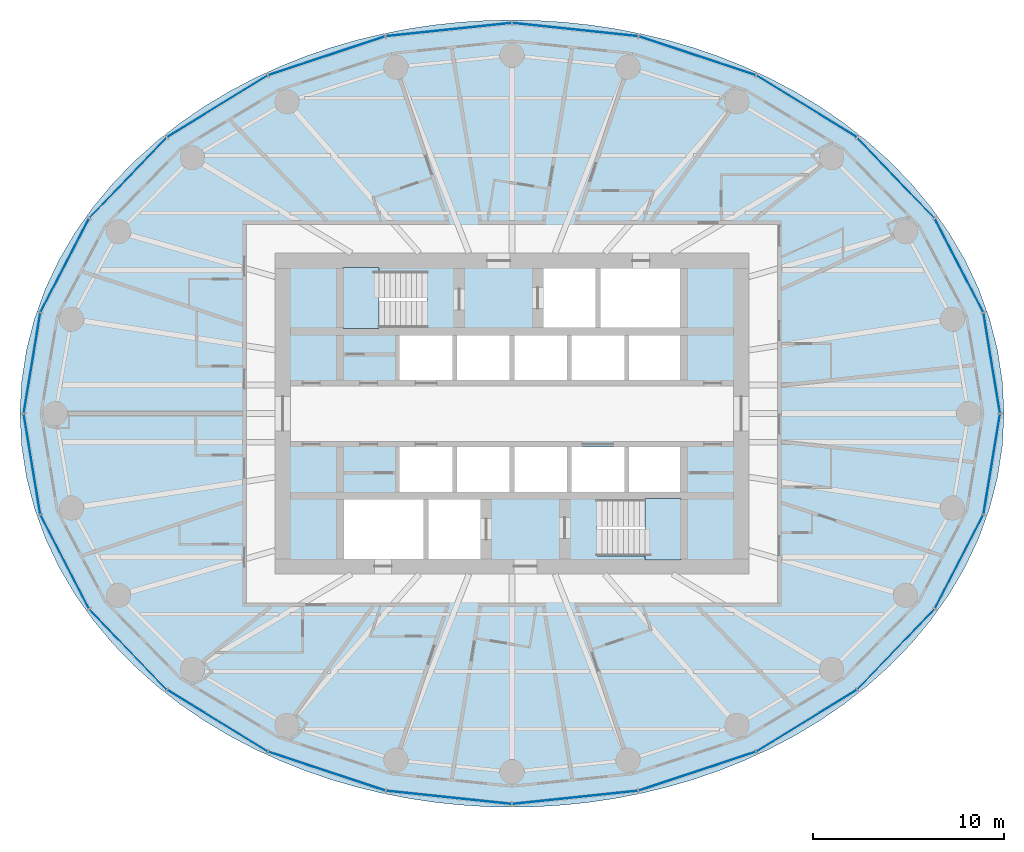
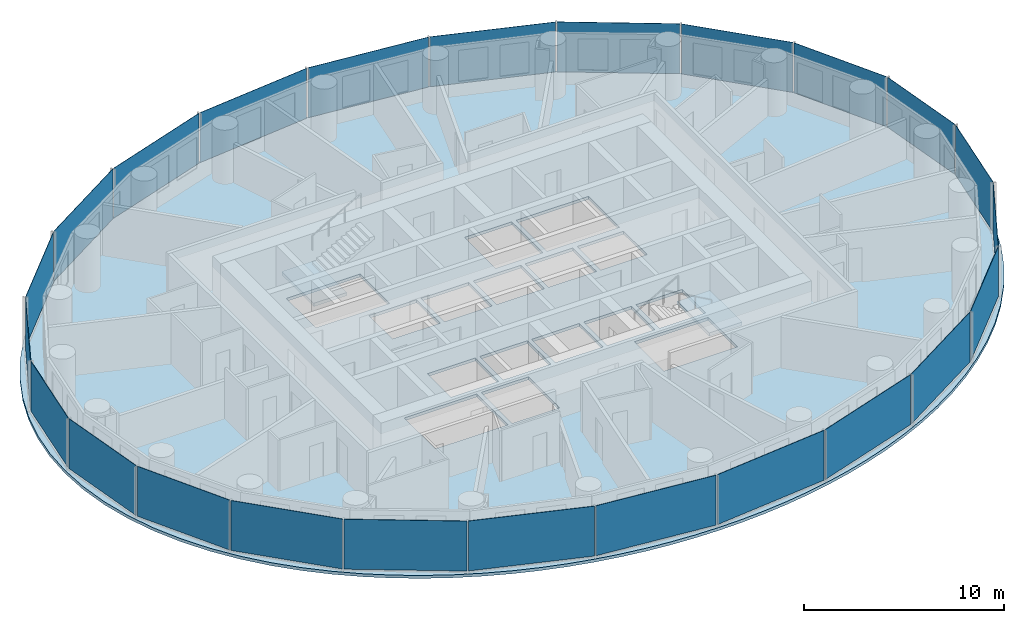
# One storey, part 5 of 13: 24 plates, 3 slabs, 6 elements without a shape of their own.
"""IFC4 building model written with IfcOpenShell, lengths in metres."""

from ifc_helpers import new_model, si_unit, direction, frame, origin, origin_2d, place, context, subcontext, project, spatial, polyline, rectangle, outline, extrude, material, layer, layer_set, type_object, element, aggregate, save


model = new_model("IFC4")

# Units and contexts
model_context = context("Model", 3, precision=1e-05, world=origin(), true_north=direction((0.0, 1.0)))
body_context = subcontext(model_context, "Body", "Model", "MODEL_VIEW")
ifc_project = project(units=[si_unit("LENGTHUNIT", "METRE"), si_unit("AREAUNIT", "SQUARE_METRE"), si_unit("VOLUMEUNIT", "CUBIC_METRE"), si_unit("PLANEANGLEUNIT", "RADIAN"), si_unit("MASSUNIT", "GRAM", prefix="KILO")], contexts=[model_context])

# Site, building, storey
site_placement = place(None, origin())
site = spatial("IfcSite", under=ifc_project, at=site_placement, CompositionType="ELEMENT")
building_placement = place(site_placement, origin())
building = spatial("IfcBuilding", under=site, at=building_placement, Name="Hankou Lantern Tower", CompositionType="ELEMENT")
storey_placement = place(building_placement, frame((0.0, 0.0, 118.800048828125)))
storey = spatial("IfcBuildingStorey", under=building, at=storey_placement, Name="L30", CompositionType="ELEMENT", Elevation=118.800048828125)

# Curtain wall, plates
ifc_material_1 = material(Name="Glass, dark grey tinted laminated", Category="glass")
curtain_wall_type = type_object("IfcCurtainWallType", Name="CWB OUTER SKIN MID-RISE", PredefinedType="USERDEFINED", material=ifc_material_1)
curtain_wall_1_placement = place(storey_placement, origin())
curtain_wall_1 = element("IfcCurtainWall", 1, at=curtain_wall_1_placement, inside=storey, type_object=curtain_wall_type, Name="CWB L30 OS1", ObjectType="OUTER SKIN MID-RISE", PredefinedType="USERDEFINED")
ifc_material_2 = material(Name="Glass, dark grey tinted laminated", Category="glass")
ifc_layer_1 = layer(ifc_material_2, 0.02392578125)
ifc_layer_set_1 = layer_set([ifc_layer_1], Name="Glass, dark grey tinted laminated")
plate_type = type_object("IfcPlateType", Name="PN1 OUTER SKIN GLASS PANEL", PredefinedType="CURTAIN_PANEL", material=ifc_layer_set_1)
plate_1_placement = place(storey_placement, frame((25.11474609375, 2.64501953125, 0.079833984375), z_axis=(0.0, 0.0, 1.0), x_axis=(-0.162381515188, 0.986728049427, 0.0)))
plate_1 = element("IfcPlate", 2, at=plate_1_placement, type_object=plate_type, Name="CWB glass panel 1", PredefinedType="CURTAIN_PANEL", context=body_context, shape_type="SweptSolid", body=[
    extrude(rectangle(XDim=5.281494140625, YDim=0.02392578125, at=origin_2d()), origin(), (0.0, 0.0, 1.0), 3.0400390625),
])
plate_2_placement = place(storey_placement, frame((23.403076171875, 7.755126953125, 0.079833984375), z_axis=(0.0, 0.0, 1.0), x_axis=(-0.459791091957, 0.888027112062, 0.0)))
plate_2 = element("IfcPlate", 3, at=plate_2_placement, type_object=plate_type, Name="CWB glass panel 2", PredefinedType="CURTAIN_PANEL", context=body_context, shape_type="SweptSolid", body=[
    extrude(rectangle(XDim=5.471435546875, YDim=0.02392578125, at=origin_2d()), origin(), (0.0, 0.0, 1.0), 3.0400390625),
])
plate_3_placement = place(storey_placement, frame((20.0966796875, 12.336669921875, 0.079833984375), z_axis=(0.0, 0.0, 1.0), x_axis=(-0.692215809936, 0.721690565599, 0.0)))
plate_3 = element("IfcPlate", 4, at=plate_3_placement, type_object=plate_type, Name="CWB glass panel 3", PredefinedType="CURTAIN_PANEL", context=body_context, shape_type="SweptSolid", body=[
    extrude(rectangle(XDim=5.78564453125, YDim=0.02392578125, at=origin_2d()), origin(), (0.0, 0.0, 1.0), 3.0400390625),
])
plate_4_placement = place(storey_placement, frame((15.4208984375, 16.077392578125, 0.079833984375), z_axis=(0.0, 0.0, 1.0), x_axis=(-0.852237151549, 0.523155653242, 0.0)))
plate_4 = element("IfcPlate", 5, at=plate_4_placement, type_object=plate_type, Name="CWB glass panel 4", PredefinedType="CURTAIN_PANEL", context=body_context, shape_type="SweptSolid", body=[
    extrude(rectangle(XDim=6.129150390625, YDim=0.02392578125, at=origin_2d()), origin(), (0.0, 0.0, 1.0), 3.0400390625),
])
plate_5_placement = place(storey_placement, frame((9.69384765625, 18.72265625, 0.079833984375), z_axis=(0.0, 0.0, 1.0), x_axis=(-0.949240677293, 0.31455068999, 0.0)))
plate_5 = element("IfcPlate", 6, at=plate_5_placement, type_object=plate_type, Name="CWB glass panel 5", PredefinedType="CURTAIN_PANEL", context=body_context, shape_type="SweptSolid", body=[
    extrude(rectangle(XDim=6.41162109375, YDim=0.02392578125, at=origin_2d()), origin(), (0.0, 0.0, 1.0), 3.0400390625),
])
plate_6_placement = place(storey_placement, frame((3.306396484375, 20.091796875, 0.079833984375), z_axis=(0.0, 0.0, 1.0), x_axis=(-0.994499359107, 0.104742659579, 0.0)))
plate_6 = element("IfcPlate", 7, at=plate_6_placement, type_object=plate_type, Name="CWB glass panel 6", PredefinedType="CURTAIN_PANEL", context=body_context, shape_type="SweptSolid", body=[
    extrude(rectangle(XDim=6.5693359375, YDim=0.02392578125, at=origin_2d()), origin(), (0.0, 0.0, 1.0), 3.0400390625),
])
aggregate(curtain_wall_1, [plate_1, plate_2, plate_3, plate_4, plate_5, plate_6])

curtain_wall_2_placement = place(storey_placement, origin())
curtain_wall_2 = element("IfcCurtainWall", 8, at=curtain_wall_2_placement, inside=storey, type_object=curtain_wall_type, Name="CWB L30 OS2", ObjectType="OUTER SKIN MID-RISE", PredefinedType="USERDEFINED")
plate_7_placement = place(storey_placement, frame((-3.306396484375, 20.091796875, 0.079833984375), z_axis=(0.0, 0.0, 1.0), x_axis=(-0.994499359107, -0.104742659579, 0.0)))
plate_7 = element("IfcPlate", 9, at=plate_7_placement, type_object=plate_type, Name="CWB glass panel 1", PredefinedType="CURTAIN_PANEL", context=body_context, shape_type="SweptSolid", body=[
    extrude(rectangle(XDim=6.5693359375, YDim=0.02392578125, at=origin_2d()), origin(), (0.0, 0.0, 1.0), 3.0400390625),
])
plate_8_placement = place(storey_placement, frame((-9.69384765625, 18.72265625, 0.079833984375), z_axis=(0.0, 0.0, 1.0), x_axis=(-0.949240677293, -0.31455068999, 0.0)))
plate_8 = element("IfcPlate", 10, at=plate_8_placement, type_object=plate_type, Name="CWB glass panel 2", PredefinedType="CURTAIN_PANEL", context=body_context, shape_type="SweptSolid", body=[
    extrude(rectangle(XDim=6.41162109375, YDim=0.02392578125, at=origin_2d()), origin(), (0.0, 0.0, 1.0), 3.0400390625),
])
plate_9_placement = place(storey_placement, frame((-15.4208984375, 16.077392578125, 0.079833984375), z_axis=(0.0, 0.0, 1.0), x_axis=(-0.852237151549, -0.523155653242, 0.0)))
plate_9 = element("IfcPlate", 11, at=plate_9_placement, type_object=plate_type, Name="CWB glass panel 3", PredefinedType="CURTAIN_PANEL", context=body_context, shape_type="SweptSolid", body=[
    extrude(rectangle(XDim=6.129150390625, YDim=0.02392578125, at=origin_2d()), origin(), (0.0, 0.0, 1.0), 3.0400390625),
])
plate_10_placement = place(storey_placement, frame((-20.0966796875, 12.336669921875, 0.079833984375), z_axis=(0.0, 0.0, 1.0), x_axis=(-0.692215809936, -0.721690565599, 0.0)))
plate_10 = element("IfcPlate", 12, at=plate_10_placement, type_object=plate_type, Name="CWB glass panel 4", PredefinedType="CURTAIN_PANEL", context=body_context, shape_type="SweptSolid", body=[
    extrude(rectangle(XDim=5.78564453125, YDim=0.02392578125, at=origin_2d()), origin(), (0.0, 0.0, 1.0), 3.0400390625),
])
plate_11_placement = place(storey_placement, frame((-23.403076171875, 7.755126953125, 0.079833984375), z_axis=(0.0, 0.0, 1.0), x_axis=(-0.459791091957, -0.888027112062, 0.0)))
plate_11 = element("IfcPlate", 13, at=plate_11_placement, type_object=plate_type, Name="CWB glass panel 5", PredefinedType="CURTAIN_PANEL", context=body_context, shape_type="SweptSolid", body=[
    extrude(rectangle(XDim=5.471435546875, YDim=0.02392578125, at=origin_2d()), origin(), (0.0, 0.0, 1.0), 3.0400390625),
])
plate_12_placement = place(storey_placement, frame((-25.11474609375, 2.64501953125, 0.079833984375), z_axis=(0.0, 0.0, 1.0), x_axis=(-0.162381515188, -0.986728049427, 0.0)))
plate_12 = element("IfcPlate", 14, at=plate_12_placement, type_object=plate_type, Name="CWB glass panel 6", PredefinedType="CURTAIN_PANEL", context=body_context, shape_type="SweptSolid", body=[
    extrude(rectangle(XDim=5.281494140625, YDim=0.02392578125, at=origin_2d()), origin(), (0.0, 0.0, 1.0), 3.0400390625),
])
aggregate(curtain_wall_2, [plate_7, plate_8, plate_9, plate_10, plate_11, plate_12])

curtain_wall_3_placement = place(storey_placement, origin())
curtain_wall_3 = element("IfcCurtainWall", 15, at=curtain_wall_3_placement, inside=storey, type_object=curtain_wall_type, Name="CWB L30 OS3", ObjectType="OUTER SKIN MID-RISE", PredefinedType="USERDEFINED")
plate_13_placement = place(storey_placement, frame((-25.11474609375, -2.64501953125, 0.079833984375), z_axis=(0.0, 0.0, 1.0), x_axis=(0.162381515188, -0.986728049427, 0.0)))
plate_13 = element("IfcPlate", 16, at=plate_13_placement, type_object=plate_type, Name="CWB glass panel 1", PredefinedType="CURTAIN_PANEL", context=body_context, shape_type="SweptSolid", body=[
    extrude(rectangle(XDim=5.281494140625, YDim=0.02392578125, at=origin_2d()), origin(), (0.0, 0.0, 1.0), 3.0400390625),
])
plate_14_placement = place(storey_placement, frame((-23.403076171875, -7.755126953125, 0.079833984375), z_axis=(0.0, 0.0, 1.0), x_axis=(0.459791091957, -0.888027112062, 0.0)))
plate_14 = element("IfcPlate", 17, at=plate_14_placement, type_object=plate_type, Name="CWB glass panel 2", PredefinedType="CURTAIN_PANEL", context=body_context, shape_type="SweptSolid", body=[
    extrude(rectangle(XDim=5.471435546875, YDim=0.02392578125, at=origin_2d()), origin(), (0.0, 0.0, 1.0), 3.0400390625),
])
plate_15_placement = place(storey_placement, frame((-20.0966796875, -12.336669921875, 0.079833984375), z_axis=(0.0, 0.0, 1.0), x_axis=(0.692215809936, -0.721690565599, 0.0)))
plate_15 = element("IfcPlate", 18, at=plate_15_placement, type_object=plate_type, Name="CWB glass panel 3", PredefinedType="CURTAIN_PANEL", context=body_context, shape_type="SweptSolid", body=[
    extrude(rectangle(XDim=5.78564453125, YDim=0.02392578125, at=origin_2d()), origin(), (0.0, 0.0, 1.0), 3.0400390625),
])
plate_16_placement = place(storey_placement, frame((-15.4208984375, -16.077392578125, 0.079833984375), z_axis=(0.0, 0.0, 1.0), x_axis=(0.852237151549, -0.523155653242, 0.0)))
plate_16 = element("IfcPlate", 19, at=plate_16_placement, type_object=plate_type, Name="CWB glass panel 4", PredefinedType="CURTAIN_PANEL", context=body_context, shape_type="SweptSolid", body=[
    extrude(rectangle(XDim=6.129150390625, YDim=0.02392578125, at=origin_2d()), origin(), (0.0, 0.0, 1.0), 3.0400390625),
])
plate_17_placement = place(storey_placement, frame((-9.69384765625, -18.72265625, 0.079833984375), z_axis=(0.0, 0.0, 1.0), x_axis=(0.949240677293, -0.31455068999, 0.0)))
plate_17 = element("IfcPlate", 20, at=plate_17_placement, type_object=plate_type, Name="CWB glass panel 5", PredefinedType="CURTAIN_PANEL", context=body_context, shape_type="SweptSolid", body=[
    extrude(rectangle(XDim=6.41162109375, YDim=0.02392578125, at=origin_2d()), origin(), (0.0, 0.0, 1.0), 3.0400390625),
])
plate_18_placement = place(storey_placement, frame((-3.306396484375, -20.091796875, 0.079833984375), z_axis=(0.0, 0.0, 1.0), x_axis=(0.994499359107, -0.104742659579, 0.0)))
plate_18 = element("IfcPlate", 21, at=plate_18_placement, type_object=plate_type, Name="CWB glass panel 6", PredefinedType="CURTAIN_PANEL", context=body_context, shape_type="SweptSolid", body=[
    extrude(rectangle(XDim=6.5693359375, YDim=0.02392578125, at=origin_2d()), origin(), (0.0, 0.0, 1.0), 3.0400390625),
])
aggregate(curtain_wall_3, [plate_13, plate_14, plate_15, plate_16, plate_17, plate_18])

curtain_wall_4_placement = place(storey_placement, origin())
curtain_wall_4 = element("IfcCurtainWall", 22, at=curtain_wall_4_placement, inside=storey, type_object=curtain_wall_type, Name="CWB L30 OS4", ObjectType="OUTER SKIN MID-RISE", PredefinedType="USERDEFINED")
plate_19_placement = place(storey_placement, frame((3.306396484375, -20.091796875, 0.079833984375), z_axis=(0.0, 0.0, 1.0), x_axis=(0.994499359107, 0.104742659579, 0.0)))
plate_19 = element("IfcPlate", 23, at=plate_19_placement, type_object=plate_type, Name="CWB glass panel 1", PredefinedType="CURTAIN_PANEL", context=body_context, shape_type="SweptSolid", body=[
    extrude(rectangle(XDim=6.5693359375, YDim=0.02392578125, at=origin_2d()), origin(), (0.0, 0.0, 1.0), 3.0400390625),
])
plate_20_placement = place(storey_placement, frame((9.69384765625, -18.72265625, 0.079833984375), z_axis=(0.0, 0.0, 1.0), x_axis=(0.949240677293, 0.31455068999, 0.0)))
plate_20 = element("IfcPlate", 24, at=plate_20_placement, type_object=plate_type, Name="CWB glass panel 2", PredefinedType="CURTAIN_PANEL", context=body_context, shape_type="SweptSolid", body=[
    extrude(rectangle(XDim=6.41162109375, YDim=0.02392578125, at=origin_2d()), origin(), (0.0, 0.0, 1.0), 3.0400390625),
])
plate_21_placement = place(storey_placement, frame((15.4208984375, -16.077392578125, 0.079833984375), z_axis=(0.0, 0.0, 1.0), x_axis=(0.852237151549, 0.523155653242, 0.0)))
plate_21 = element("IfcPlate", 25, at=plate_21_placement, type_object=plate_type, Name="CWB glass panel 3", PredefinedType="CURTAIN_PANEL", context=body_context, shape_type="SweptSolid", body=[
    extrude(rectangle(XDim=6.129150390625, YDim=0.02392578125, at=origin_2d()), origin(), (0.0, 0.0, 1.0), 3.0400390625),
])
plate_22_placement = place(storey_placement, frame((20.0966796875, -12.336669921875, 0.079833984375), z_axis=(0.0, 0.0, 1.0), x_axis=(0.692215809936, 0.721690565599, 0.0)))
plate_22 = element("IfcPlate", 26, at=plate_22_placement, type_object=plate_type, Name="CWB glass panel 4", PredefinedType="CURTAIN_PANEL", context=body_context, shape_type="SweptSolid", body=[
    extrude(rectangle(XDim=5.78564453125, YDim=0.02392578125, at=origin_2d()), origin(), (0.0, 0.0, 1.0), 3.0400390625),
])
plate_23_placement = place(storey_placement, frame((23.403076171875, -7.755126953125, 0.079833984375), z_axis=(0.0, 0.0, 1.0), x_axis=(0.459791091957, 0.888027112062, 0.0)))
plate_23 = element("IfcPlate", 27, at=plate_23_placement, type_object=plate_type, Name="CWB glass panel 5", PredefinedType="CURTAIN_PANEL", context=body_context, shape_type="SweptSolid", body=[
    extrude(rectangle(XDim=5.471435546875, YDim=0.02392578125, at=origin_2d()), origin(), (0.0, 0.0, 1.0), 3.0400390625),
])
plate_24_placement = place(storey_placement, frame((25.11474609375, -2.64501953125, 0.079833984375), z_axis=(0.0, 0.0, 1.0), x_axis=(0.162381515188, 0.986728049427, 0.0)))
plate_24 = element("IfcPlate", 28, at=plate_24_placement, type_object=plate_type, Name="CWB glass panel 6", PredefinedType="CURTAIN_PANEL", context=body_context, shape_type="SweptSolid", body=[
    extrude(rectangle(XDim=5.281494140625, YDim=0.02392578125, at=origin_2d()), origin(), (0.0, 0.0, 1.0), 3.0400390625),
])
aggregate(curtain_wall_4, [plate_19, plate_20, plate_21, plate_22, plate_23, plate_24])

# Slab
ifc_material_3 = material(Name="Concrete C50", Category="concrete")
ifc_layer_2 = layer(ifc_material_3, 0.179931640625)
ifc_layer_set_2 = layer_set([ifc_layer_2], Name="Concrete C50")
slab_type_1 = type_object("IfcSlabType", Name="S1 CONCRETE FLOOR SLAB 180", PredefinedType="FLOOR", material=ifc_layer_set_2)
slab_1_placement = place(storey_placement, frame((0.0, 0.0, -0.179931640625)))
element("IfcSlab", 29, at=slab_1_placement, inside=storey, type_object=slab_type_1, Name="Floor slab L30", PredefinedType="FLOOR", context=body_context, shape_type="SweptSolid", body=[
    extrude(outline(polyline([(25.75, 0.0), (25.6640625, 1.68212890625), (25.408203125, 3.344970703125), (24.9892578125, 4.970703125), (24.416748046875, 6.54248046875), (23.704345703125, 8.046630859375), (22.86669921875, 9.4716796875), (21.919921875, 10.809814453125), (20.88037109375, 12.05517578125), (19.763427734375, 13.205322265625), (18.58349609375, 14.259765625), (17.35400390625, 15.218994140625), (16.0859375, 16.0859375), (14.7890625, 16.863525390625), (13.47119140625, 17.55615234375), (12.138916015625, 18.167236328125), (10.79736328125, 18.701416015625), (9.449951171875, 19.16259765625), (8.099609375, 19.554443359375), (6.748291015625, 19.8798828125), (5.397216796875, 20.142333984375), (4.046630859375, 20.343994140625), (2.697021484375, 20.486572265625), (1.348388671875, 20.57177734375), (0.0, 20.60009765625), (-1.348388671875, 20.57177734375), (-2.697021484375, 20.486572265625), (-4.046630859375, 20.343994140625), (-5.397216796875, 20.142333984375), (-6.748291015625, 19.8798828125), (-8.099609375, 19.554443359375), (-9.449951171875, 19.16259765625), (-10.79736328125, 18.701416015625), (-12.138916015625, 18.167236328125), (-13.47119140625, 17.55615234375), (-14.7890625, 16.863525390625), (-16.0859375, 16.0859375), (-17.35400390625, 15.218994140625), (-18.58349609375, 14.259765625), (-19.763427734375, 13.205322265625), (-20.88037109375, 12.05517578125), (-21.919921875, 10.809814453125), (-22.86669921875, 9.4716796875), (-23.704345703125, 8.046630859375), (-24.416748046875, 6.54248046875), (-24.9892578125, 4.970703125), (-25.408203125, 3.344970703125), (-25.6640625, 1.68212890625), (-25.75, 0.0), (-25.6640625, -1.68212890625), (-25.408203125, -3.344970703125), (-24.9892578125, -4.970703125), (-24.416748046875, -6.54248046875), (-23.704345703125, -8.046630859375), (-22.86669921875, -9.4716796875), (-21.919921875, -10.809814453125), (-20.88037109375, -12.05517578125), (-19.763427734375, -13.205322265625), (-18.58349609375, -14.259765625), (-17.35400390625, -15.218994140625), (-16.0859375, -16.0859375), (-14.7890625, -16.863525390625), (-13.47119140625, -17.55615234375), (-12.138916015625, -18.167236328125), (-10.79736328125, -18.701416015625), (-9.449951171875, -19.16259765625), (-8.099609375, -19.554443359375), (-6.748291015625, -19.8798828125), (-5.397216796875, -20.142333984375), (-4.046630859375, -20.343994140625), (-2.697021484375, -20.486572265625), (-1.348388671875, -20.57177734375), (0.0, -20.60009765625), (1.348388671875, -20.57177734375), (2.697021484375, -20.486572265625), (4.046630859375, -20.343994140625), (5.397216796875, -20.142333984375), (6.748291015625, -19.8798828125), (8.099609375, -19.554443359375), (9.449951171875, -19.16259765625), (10.79736328125, -18.701416015625), (12.138916015625, -18.167236328125), (13.47119140625, -17.55615234375), (14.7890625, -16.863525390625), (16.0859375, -16.0859375), (17.35400390625, -15.218994140625), (18.58349609375, -14.259765625), (19.763427734375, -13.205322265625), (20.88037109375, -12.05517578125), (21.919921875, -10.809814453125), (22.86669921875, -9.4716796875), (23.704345703125, -8.046630859375), (24.416748046875, -6.54248046875), (24.9892578125, -4.970703125), (25.408203125, -3.344970703125), (25.6640625, -1.68212890625), (25.75, 0.0)]), holes=[polyline([(-5.875, 4.10009765625), (-3.125, 4.10009765625), (-3.125, 1.75), (-5.875, 1.75), (-5.875, 4.10009765625)]), polyline([(-2.875, 4.10009765625), (-0.125, 4.10009765625), (-0.125, 1.75), (-2.875, 1.75), (-2.875, 4.10009765625)]), polyline([(0.125, 4.10009765625), (2.875, 4.10009765625), (2.875, 1.75), (0.125, 1.75), (0.125, 4.10009765625)]), polyline([(3.125, 4.10009765625), (5.875, 4.10009765625), (5.875, 1.75), (3.125, 1.75), (3.125, 4.10009765625)]), polyline([(6.125, 4.10009765625), (8.800048828125, 4.10009765625), (8.800048828125, 1.75), (6.125, 1.75), (6.125, 4.10009765625)]), polyline([(-5.875, -1.75), (-3.125, -1.75), (-3.125, -4.10009765625), (-5.875, -4.10009765625), (-5.875, -1.75)]), polyline([(-2.875, -1.75), (-0.125, -1.75), (-0.125, -4.10009765625), (-2.875, -4.10009765625), (-2.875, -1.75)]), polyline([(0.125, -1.75), (2.875, -1.75), (2.875, -4.10009765625), (0.125, -4.10009765625), (0.125, -1.75)]), polyline([(3.125, -1.75), (5.875, -1.75), (5.875, -4.10009765625), (3.125, -4.10009765625), (3.125, -1.75)]), polyline([(6.125, -1.75), (8.800048828125, -1.75), (8.800048828125, -4.10009765625), (6.125, -4.10009765625), (6.125, -1.75)]), polyline([(1.64990234375, 7.60009765625), (4.375, 7.60009765625), (4.375, 4.5), (1.64990234375, 4.5), (1.64990234375, 7.60009765625)]), polyline([(-4.375, -4.5), (-1.64990234375, -4.5), (-1.64990234375, -7.60009765625), (-4.375, -7.60009765625), (-4.375, -4.5)]), polyline([(-8.699951171875, 7.449951171875), (-4.449951171875, 7.449951171875), (-4.449951171875, 4.5), (-8.699951171875, 4.5), (-8.699951171875, 7.449951171875)]), polyline([(4.449951171875, -4.5), (8.699951171875, -4.5), (8.699951171875, -7.449951171875), (4.449951171875, -7.449951171875), (4.449951171875, -4.5)]), polyline([(4.625, 7.60009765625), (8.800048828125, 7.60009765625), (8.800048828125, 4.5), (4.625, 4.5), (4.625, 7.60009765625)]), polyline([(-8.800048828125, -4.5), (-4.625, -4.5), (-4.625, -7.60009765625), (-8.800048828125, -7.60009765625), (-8.800048828125, -4.5)])]), origin(), (0.0, 0.0, 1.0), 0.179931640625),
])

# Stair, slab
ifc_material_4 = material(Name="Concrete C40", Category="concrete")
stair_type = type_object("IfcStairType", Name="ST33 CORE STAIR 3300 RISE", PredefinedType="HALF_TURN_STAIR", material=ifc_material_4)
stair_1_placement = place(storey_placement, origin())
stair_1 = element("IfcStair", 30, at=stair_1_placement, inside=storey, type_object=stair_type, Name="Stair STA L30", PredefinedType="HALF_TURN_STAIR")
ifc_material_5 = material(Name="Concrete C40", Category="concrete")
ifc_layer_3 = layer(ifc_material_5, 0.199951171875)
ifc_layer_set_3 = layer_set([ifc_layer_3], Name="Concrete C40")
slab_type_2 = type_object("IfcSlabType", Name="SL1 STAIR LANDING 200", PredefinedType="LANDING", material=ifc_layer_set_3)
slab_2_placement = place(storey_placement, frame((0.0, 0.0, 1.371337890625)))
slab_2 = element("IfcSlab", 31, at=slab_2_placement, type_object=slab_type_2, Name="STA landing 1", PredefinedType="LANDING", context=body_context, shape_type="SweptSolid", body=[
    extrude(outline(polyline([(-8.85009765625, 4.449951171875), (-6.949951171875, 4.449951171875), (-6.949951171875, 7.64990234375), (-8.85009765625, 7.64990234375), (-8.85009765625, 4.449951171875)])), origin(), (0.0, 0.0, 1.0), 0.199951171875),
])
aggregate(stair_1, [slab_2])

stair_2_placement = place(storey_placement, origin())
stair_2 = element("IfcStair", 32, at=stair_2_placement, inside=storey, type_object=stair_type, Name="Stair STB L30", PredefinedType="HALF_TURN_STAIR")
slab_3_placement = place(storey_placement, frame((0.0, 0.0, 1.371337890625)))
slab_3 = element("IfcSlab", 33, at=slab_3_placement, type_object=slab_type_2, Name="STB landing 1", PredefinedType="LANDING", context=body_context, shape_type="SweptSolid", body=[
    extrude(outline(polyline([(8.85009765625, -4.449951171875), (6.949951171875, -4.449951171875), (6.949951171875, -7.64990234375), (8.85009765625, -7.64990234375), (8.85009765625, -4.449951171875)])), origin(), (0.0, 0.0, 1.0), 0.199951171875),
])
aggregate(stair_2, [slab_3])

save(model, "model.ifc")
